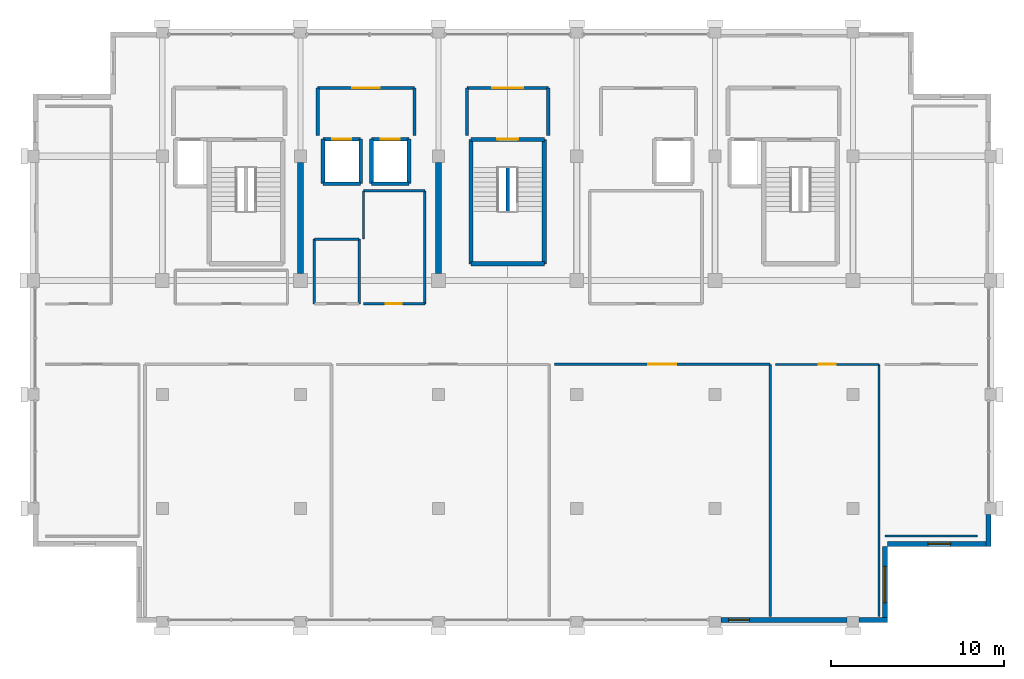
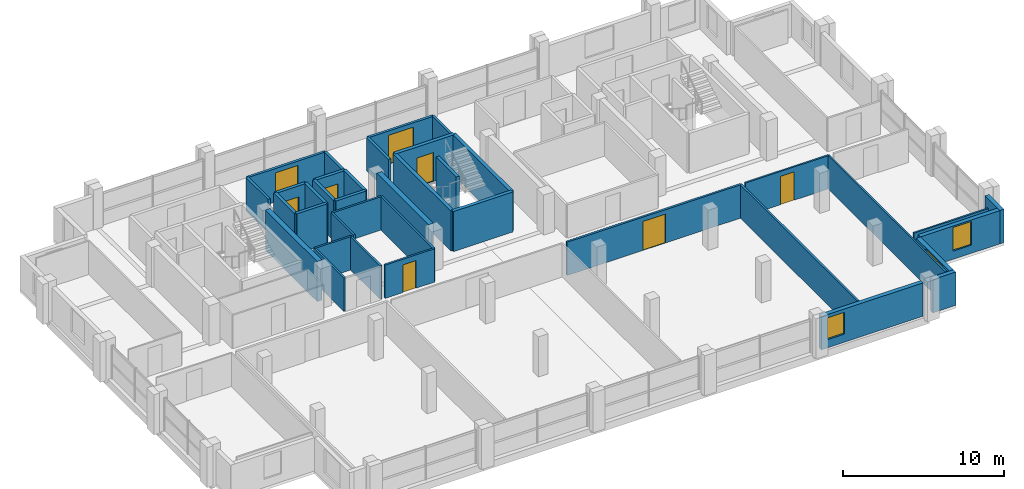
# One storey, part 21 of 24: 38 walls, 8 doors, 3 windows, 11 openings.
"""IFC4 building model written with IfcOpenShell, lengths in metres."""

from ifc_helpers import new_model, si_unit, direction, frame, frame_2d, origin, place, context, subcontext, project, spatial, rectangle, extrude, material, layer, layer_set, type_object, element, fill, save


model = new_model("IFC4")

# Units and contexts
model_context = context("Model", 3, precision=1e-05, world=origin(), true_north=direction((0.0, 1.0)))
body_context = subcontext(model_context, "Body", "Model", "MODEL_VIEW")
ifc_project = project(units=[si_unit("LENGTHUNIT", "METRE"), si_unit("AREAUNIT", "SQUARE_METRE"), si_unit("VOLUMEUNIT", "CUBIC_METRE"), si_unit("PLANEANGLEUNIT", "RADIAN"), si_unit("MASSUNIT", "GRAM", prefix="KILO")], contexts=[model_context])

# Site, building, storey
site_placement = place(None, origin())
site = spatial("IfcSite", under=ifc_project, at=site_placement, CompositionType="ELEMENT")
building_placement = place(site_placement, origin())
building = spatial("IfcBuilding", under=site, at=building_placement, Name="Akrevak Sports Hall", CompositionType="ELEMENT")
storey_placement = place(building_placement, frame((0.0, 0.0, 60.050048828125)))
storey = spatial("IfcBuildingStorey", under=building, at=storey_placement, Name="L15", CompositionType="ELEMENT", Elevation=60.050048828125)

# Wall, opening, window
ifc_material_1 = material(Name="Limestone Ashlar", Category="stone")
ifc_layer_1 = layer(ifc_material_1, 0.06005859375, Name="Limestone Ashlar")
ifc_material_2 = material(Name="Mineral Wool Thermal Insulation", Category="insulation")
ifc_layer_2 = layer(ifc_material_2, 0.090087890625, Name="Mineral Wool Thermal Insulation")
ifc_material_3 = material(Name="Concrete C40/50", Category="concrete")
ifc_layer_3 = layer(ifc_material_3, 0.14990234375, Name="Concrete C40/50")
ifc_layer_set_1 = layer_set([ifc_layer_1, ifc_layer_2, ifc_layer_3], Name="Limestone Ashlar / Mineral Wool Thermal Insulation / Concrete C40/50")
wall_type_1 = type_object("IfcWallType", Name="ARC-WL-EXT-300", PredefinedType="SOLIDWALL", material=ifc_layer_set_1)
wall_1_placement = place(storey_placement, frame((92.35009765625, 35.550048828125, 0.0), z_axis=(0.0, 0.0, 1.0), x_axis=(1.0, 0.0, 0.0)))
wall_1 = element("IfcWall", 1, at=wall_1_placement, inside=storey, type_object=wall_type_1, Name="Tower Stone Facade Wall L15-S06", PredefinedType="SOLIDWALL", context=body_context, shape_type="SweptSolid", body=[
    extrude(rectangle(XDim=7.2998046875, YDim=0.300048828125, at=frame_2d((3.64990234375, 0.0))), origin(), (0.0, 0.0, 1.0), 2.530029296875),
])
opening_1_placement = place(wall_1_placement, frame((0.449951171875, 0.0, 0.6201171875)))
opening_1 = element("IfcOpeningElement", 2, at=opening_1_placement, cuts=wall_1, Name="Opening WN-45", PredefinedType="OPENING", context=body_context, shape_type="SweptSolid", body=[
    extrude(rectangle(XDim=1.199951171875, YDim=1.64990234375, at=frame_2d((0.60009765625, 0.824951171875))), frame((0.0, 0.162109375, 0.0), z_axis=(0.0, -1.0, 0.0), x_axis=(1.0, 0.0, 0.0)), (0.0, 0.0, 1.0), 0.323974609375),
])
ifc_material_4 = material(Name="Thermally Broken Bronze Frame & Double Low-E Glass", Category="glass")
window_type_1 = type_object("IfcWindowType", Name="ARC-WIN-SZ-1200x1650", PartitioningType="SINGLE_PANEL", PredefinedType="WINDOW", material=ifc_material_4)
window_1_placement = place(opening_1_placement, origin())
window_1 = element("IfcWindow", 3, at=window_1_placement, inside=storey, type_object=window_type_1, Name="Tower Window L15-S06", OverallHeight=1.64990234375, OverallWidth=1.199951171875, PartitioningType="SINGLE_PANEL", PredefinedType="WINDOW", context=body_context, shape_type="SweptSolid", body=[
    extrude(rectangle(XDim=1.199951171875, YDim=1.64990234375, at=frame_2d((0.60009765625, 0.824951171875))), frame((0.0, 0.030029296875, 0.0), z_axis=(0.0, -1.0, 0.0), x_axis=(1.0, 0.0, 0.0)), (0.0, 0.0, 1.0), 0.06005859375),
])
fill(opening_1, window_1)

# Wall
wall_2_placement = place(storey_placement, frame((100.35009765625, 35.550048828125, 0.0), z_axis=(0.0, 0.0, 1.0), x_axis=(1.0, 0.0, 0.0)))
element("IfcWall", 4, at=wall_2_placement, inside=storey, type_object=wall_type_1, Name="Tower Stone Facade Wall L15-S07", PredefinedType="SOLIDWALL", context=body_context, shape_type="SweptSolid", body=[
    extrude(rectangle(XDim=1.64990234375, YDim=0.300048828125, at=frame_2d((0.824951171875, 0.0))), origin(), (0.0, 0.0, 1.0), 2.530029296875),
])

# Wall, opening, window
wall_3_placement = place(storey_placement, frame((101.85009765625, 35.39990234375, 0.0), z_axis=(0.0, 0.0, 1.0), x_axis=(0.0, 1.0, 0.0)))
wall_3 = element("IfcWall", 5, at=wall_3_placement, inside=storey, type_object=wall_type_1, Name="Tower Stone Facade Wall L15-E08", PredefinedType="SOLIDWALL", context=body_context, shape_type="SweptSolid", body=[
    extrude(rectangle(XDim=4.400146484375, YDim=0.300048828125, at=frame_2d((2.2001953125, 0.0))), origin(), (0.0, 0.0, 1.0), 2.530029296875),
])
opening_2_placement = place(wall_3_placement, frame((1.14990234375, 0.0, 0.6201171875)))
opening_2 = element("IfcOpeningElement", 6, at=opening_2_placement, cuts=wall_3, Name="Opening WN-55", PredefinedType="OPENING", context=body_context, shape_type="SweptSolid", body=[
    extrude(rectangle(XDim=2.10009765625, YDim=1.81005859375, at=frame_2d((1.050048828125, 0.905029296875))), frame((0.0, 0.162109375, 0.0), z_axis=(0.0, -1.0, 0.0), x_axis=(1.0, 0.0, 0.0)), (0.0, 0.0, 1.0), 0.323974609375),
])
window_type_2 = type_object("IfcWindowType", Name="ARC-WIN-SZ-2100x1810", PartitioningType="SINGLE_PANEL", PredefinedType="WINDOW", material=ifc_material_4)
window_2_placement = place(opening_2_placement, origin())
window_2 = element("IfcWindow", 7, at=window_2_placement, inside=storey, type_object=window_type_2, Name="Tower Window L15-E08", OverallHeight=1.81005859375, OverallWidth=2.10009765625, PartitioningType="SINGLE_PANEL", PredefinedType="WINDOW", context=body_context, shape_type="SweptSolid", body=[
    extrude(rectangle(XDim=2.10009765625, YDim=1.81005859375, at=frame_2d((1.050048828125, 0.905029296875))), frame((0.0, 0.030029296875, 0.0), z_axis=(0.0, -1.0, 0.0), x_axis=(1.0, 0.0, 0.0)), (0.0, 0.0, 1.0), 0.06005859375),
])
fill(opening_2, window_2)

wall_4_placement = place(storey_placement, frame((102.0, 39.949951171875, 0.0), z_axis=(0.0, 0.0, 1.0), x_axis=(1.0, 0.0, 0.0)))
wall_4 = element("IfcWall", 8, at=wall_4_placement, inside=storey, type_object=wall_type_1, Name="Tower Stone Facade Wall L15-S09", PredefinedType="SOLIDWALL", context=body_context, shape_type="SweptSolid", body=[
    extrude(rectangle(XDim=6.0, YDim=0.300048828125, at=frame_2d((3.0, 0.0))), origin(), (0.0, 0.0, 1.0), 2.530029296875),
])
opening_3_placement = place(wall_4_placement, frame((2.35009765625, 0.0, 0.6201171875)))
opening_3 = element("IfcOpeningElement", 9, at=opening_3_placement, cuts=wall_4, Name="Opening WN-12", PredefinedType="OPENING", context=body_context, shape_type="SweptSolid", body=[
    extrude(rectangle(XDim=1.300048828125, YDim=1.800048828125, at=frame_2d((0.64990234375, 0.89990234375))), frame((0.0, 0.162109375, 0.0), z_axis=(0.0, -1.0, 0.0), x_axis=(1.0, 0.0, 0.0)), (0.0, 0.0, 1.0), 0.323974609375),
])
window_type_3 = type_object("IfcWindowType", Name="ARC-WIN-TW-130x180", PartitioningType="SINGLE_PANEL", PredefinedType="WINDOW", material=ifc_material_4)
window_3_placement = place(opening_3_placement, origin())
window_3 = element("IfcWindow", 10, at=window_3_placement, inside=storey, type_object=window_type_3, Name="Tower Window L15-S09", OverallHeight=1.800048828125, OverallWidth=1.300048828125, PartitioningType="SINGLE_PANEL", PredefinedType="WINDOW", context=body_context, shape_type="SweptSolid", body=[
    extrude(rectangle(XDim=1.300048828125, YDim=1.800048828125, at=frame_2d((0.64990234375, 0.89990234375))), frame((0.0, 0.030029296875, 0.0), z_axis=(0.0, -1.0, 0.0), x_axis=(1.0, 0.0, 0.0)), (0.0, 0.0, 1.0), 0.06005859375),
])
fill(opening_3, window_3)

# Wall
wall_5_placement = place(storey_placement, frame((107.85009765625, 39.800048828125, 0.0), z_axis=(0.0, 0.0, 1.0), x_axis=(0.0, 1.0, 0.0)))
element("IfcWall", 11, at=wall_5_placement, inside=storey, type_object=wall_type_1, Name="Tower Stone Facade Wall L15-E10", PredefinedType="SOLIDWALL", context=body_context, shape_type="SweptSolid", body=[
    extrude(rectangle(XDim=1.849853515625, YDim=0.300048828125, at=frame_2d((0.9248046875, 0.0))), origin(), (0.0, 0.0, 1.0), 2.530029296875),
])

# Wall, opening, door
ifc_material_5 = material(Name="Standard Metal Stud Partition", Category="gypsum")
ifc_layer_4 = layer(ifc_material_5, 0.1201171875, Name="Standard Metal Stud Partition")
ifc_layer_set_2 = layer_set([ifc_layer_4], Name="Standard Metal Stud Partition")
wall_type_2 = type_object("IfcWallType", Name="ARC-WL-PRT-120", PredefinedType="PARTITIONING", material=ifc_layer_set_2)
wall_6_placement = place(storey_placement, frame((95.5, 50.35009765625, 0.0), z_axis=(0.0, 0.0, 1.0), x_axis=(1.0, 0.0, 0.0)))
wall_6 = element("IfcWall", 12, at=wall_6_placement, inside=storey, type_object=wall_type_2, Name="Interior Partition International Relations Secretariat (L15) (N)", PredefinedType="PARTITIONING", context=body_context, shape_type="SweptSolid", body=[
    extrude(rectangle(XDim=6.0, YDim=0.1201171875, at=frame_2d((3.0, 0.0))), origin(), (0.0, 0.0, 1.0), 2.530029296875),
])
opening_4_placement = place(wall_6_placement, frame((2.5, 0.0, 0.0)))
opening_4 = element("IfcOpeningElement", 13, at=opening_4_placement, cuts=wall_6, Name="Opening ID-06", PredefinedType="OPENING", context=body_context, shape_type="SweptSolid", body=[
    extrude(rectangle(XDim=1.0, YDim=2.14990234375, at=frame_2d((0.5, 1.074951171875))), frame((0.0, 0.072021484375, 0.0), z_axis=(0.0, -1.0, 0.0), x_axis=(1.0, 0.0, 0.0)), (0.0, 0.0, 1.0), 0.14404296875),
])
ifc_material_6 = material(Name="Hardwood Oak Acoustic Leaf", Category="wood")
door_type_1 = type_object("IfcDoorType", Name="ARC-DR-OFF-100x215", OperationType="NOTDEFINED", PredefinedType="DOOR", material=ifc_material_6)
door_1_placement = place(opening_4_placement, origin())
door_1 = element("IfcDoor", 14, at=door_1_placement, inside=storey, type_object=door_type_1, Name="Door to International Relations Secretariat (L15)", OperationType="SINGLE_SWING_LEFT", OverallHeight=2.14990234375, OverallWidth=1.0, PredefinedType="DOOR", context=body_context, shape_type="SweptSolid", body=[
    extrude(rectangle(XDim=1.0, YDim=2.14990234375, at=frame_2d((0.5, 1.074951171875))), frame((0.0, 0.02490234375, 0.0), z_axis=(0.0, -1.0, 0.0), x_axis=(1.0, 0.0, 0.0)), (0.0, 0.0, 1.0), 0.050048828125),
])
fill(opening_4, door_1)

# Walls
wall_7_placement = place(storey_placement, frame((101.5, 35.75, 0.0), z_axis=(0.0, 0.0, 1.0), x_axis=(0.0, 1.0, 0.0)))
element("IfcWall", 15, at=wall_7_placement, inside=storey, type_object=wall_type_2, Name="Interior Partition International Relations Secretariat (L15) (E)", PredefinedType="PARTITIONING", context=body_context, shape_type="SweptSolid", body=[
    extrude(rectangle(XDim=14.60009765625, YDim=0.1201171875, at=frame_2d((7.300048828125, 0.0))), origin(), (0.0, 0.0, 1.0), 2.530029296875),
])
wall_8_placement = place(storey_placement, frame((101.85009765625, 40.39990234375, 0.0), z_axis=(0.0, 0.0, 1.0), x_axis=(1.0, 0.0, 0.0)))
element("IfcWall", 16, at=wall_8_placement, inside=storey, type_object=wall_type_2, Name="Interior Partition International Federation Office East (L15) (S)", PredefinedType="PARTITIONING", context=body_context, shape_type="SweptSolid", body=[
    extrude(rectangle(XDim=5.349853515625, YDim=0.1201171875, at=frame_2d((2.6748046875, 0.0))), origin(), (0.0, 0.0, 1.0), 2.530029296875),
])
ifc_material_7 = material(Name="Moisture-Resistant Wet-Area Partition", Category="gypsum")
ifc_layer_5 = layer(ifc_material_7, 0.139892578125, Name="Moisture-Resistant Wet-Area Partition")
ifc_layer_set_3 = layer_set([ifc_layer_5], Name="Moisture-Resistant Wet-Area Partition")
wall_type_3 = type_object("IfcWallType", Name="ARC-WL-PRT-140", PredefinedType="PARTITIONING", material=ifc_layer_set_3)
wall_9_placement = place(storey_placement, frame((68.800048828125, 57.60009765625, 0.0), z_axis=(0.0, 0.0, 1.0), x_axis=(1.0, 0.0, 0.0)))
element("IfcWall", 17, at=wall_9_placement, inside=storey, type_object=wall_type_3, Name="Interior Partition Accessible WC L15 (N)", PredefinedType="PARTITIONING", context=body_context, shape_type="SweptSolid", body=[
    extrude(rectangle(XDim=2.599853515625, YDim=0.139892578125, at=frame_2d((1.2998046875, 0.0))), origin(), (0.0, 0.0, 1.0), 2.530029296875),
])
for number, where, z_axis, x_axis, name in (
    (18, (68.800048828125, 53.85009765625, 0.0), (0.0, 0.0, 1.0), (0.0, 1.0, 0.0), "Interior Partition Accessible WC L15 (W)"),
    (19, (71.39990234375, 53.85009765625, 0.0), (0.0, 0.0, 1.0), (0.0, 1.0, 0.0), "Interior Partition Accessible WC L15 (E)"),
):
    element("IfcWall", number, at=place(storey_placement, frame(where, z_axis=z_axis, x_axis=x_axis)), inside=storey, type_object=wall_type_3, Name=name, PredefinedType="PARTITIONING", context=body_context, shape_type="SweptSolid", body=[
        extrude(rectangle(XDim=3.75, YDim=0.139892578125, at=frame_2d((1.875, 0.0))), origin(), (0.0, 0.0, 1.0), 2.530029296875),
    ])

# Wall, opening, door
wall_10_placement = place(storey_placement, frame((71.64990234375, 53.85009765625, 0.0), z_axis=(0.0, 0.0, 1.0), x_axis=(1.0, 0.0, 0.0)))
wall_10 = element("IfcWall", 20, at=wall_10_placement, inside=storey, type_object=wall_type_3, Name="Interior Partition Athletic Recovery Shower & WC L15 (S)", PredefinedType="PARTITIONING", context=body_context, shape_type="SweptSolid", body=[
    extrude(rectangle(XDim=3.550048828125, YDim=0.139892578125, at=frame_2d((1.77490234375, 0.0))), origin(), (0.0, 0.0, 1.0), 2.530029296875),
])
opening_5_placement = place(wall_10_placement, frame((1.27490234375, 0.0, 0.0)))
opening_5 = element("IfcOpeningElement", 21, at=opening_5_placement, cuts=wall_10, Name="Opening ID-08", PredefinedType="OPENING", context=body_context, shape_type="SweptSolid", body=[
    extrude(rectangle(XDim=0.949951171875, YDim=2.10009765625, at=frame_2d((0.47509765625, 1.050048828125))), frame((0.0, 0.08203125, 0.0), z_axis=(0.0, -1.0, 0.0), x_axis=(1.0, 0.0, 0.0)), (0.0, 0.0, 1.0), 0.163818359375),
])
ifc_material_8 = material(Name="High-Pressure Laminate & Aluminium", Category="aluminium")
door_type_2 = type_object("IfcDoorType", Name="ARC-DR-WC-095x210", OperationType="NOTDEFINED", PredefinedType="DOOR", material=ifc_material_8)
door_2_placement = place(opening_5_placement, origin())
door_2 = element("IfcDoor", 22, at=door_2_placement, inside=storey, type_object=door_type_2, Name="Door to Athletic Recovery Shower & WC L15", OperationType="SINGLE_SWING_LEFT", OverallHeight=2.10009765625, OverallWidth=0.949951171875, PredefinedType="DOOR", context=body_context, shape_type="SweptSolid", body=[
    extrude(rectangle(XDim=0.949951171875, YDim=2.10009765625, at=frame_2d((0.47509765625, 1.050048828125))), frame((0.0, 0.02490234375, 0.0), z_axis=(0.0, -1.0, 0.0), x_axis=(1.0, 0.0, 0.0)), (0.0, 0.0, 1.0), 0.050048828125),
])
fill(opening_5, door_2)

# Walls
wall_11_placement = place(storey_placement, frame((71.64990234375, 60.39990234375, 0.0), z_axis=(0.0, 0.0, 1.0), x_axis=(1.0, 0.0, 0.0)))
element("IfcWall", 23, at=wall_11_placement, inside=storey, type_object=wall_type_3, Name="Interior Partition Athletic Recovery Shower & WC L15 (N)", PredefinedType="PARTITIONING", context=body_context, shape_type="SweptSolid", body=[
    extrude(rectangle(XDim=3.550048828125, YDim=0.139892578125, at=frame_2d((1.77490234375, 0.0))), origin(), (0.0, 0.0, 1.0), 2.530029296875),
])
wall_12_placement = place(storey_placement, frame((71.64990234375, 57.60009765625, 0.0), z_axis=(0.0, 0.0, 1.0), x_axis=(0.0, 1.0, 0.0)))
element("IfcWall", 24, at=wall_12_placement, inside=storey, type_object=wall_type_3, Name="Interior Partition Athletic Recovery Shower & WC L15 (W)", PredefinedType="PARTITIONING", context=body_context, shape_type="SweptSolid", body=[
    extrude(rectangle(XDim=2.7998046875, YDim=0.139892578125, at=frame_2d((1.39990234375, 0.0))), origin(), (0.0, 0.0, 1.0), 2.530029296875),
])
wall_13_placement = place(storey_placement, frame((75.199951171875, 53.85009765625, 0.0), z_axis=(0.0, 0.0, 1.0), x_axis=(0.0, 1.0, 0.0)))
element("IfcWall", 25, at=wall_13_placement, inside=storey, type_object=wall_type_3, Name="Interior Partition Athletic Recovery Shower & WC L15 (E)", PredefinedType="PARTITIONING", context=body_context, shape_type="SweptSolid", body=[
    extrude(rectangle(XDim=6.5498046875, YDim=0.139892578125, at=frame_2d((3.27490234375, 0.0))), origin(), (0.0, 0.0, 1.0), 2.530029296875),
])

# Wall, opening, door
ifc_material_9 = material(Name="Double Stud Acoustic Gypsum Partition", Category="gypsum")
ifc_layer_6 = layer(ifc_material_9, 0.14990234375, Name="Double Stud Acoustic Gypsum Partition")
ifc_layer_set_4 = layer_set([ifc_layer_6], Name="Double Stud Acoustic Gypsum Partition")
wall_type_4 = type_object("IfcWallType", Name="ARC-WL-PRT-150", PredefinedType="PARTITIONING", material=ifc_layer_set_4)
wall_14_placement = place(storey_placement, frame((82.699951171875, 50.35009765625, 0.0), z_axis=(0.0, 0.0, 1.0), x_axis=(1.0, 0.0, 0.0)))
wall_14 = element("IfcWall", 26, at=wall_14_placement, inside=storey, type_object=wall_type_4, Name="Interior Partition Presidential Reception Salon (L15) (N)", PredefinedType="PARTITIONING", context=body_context, shape_type="SweptSolid", body=[
    extrude(rectangle(XDim=12.5, YDim=0.14990234375, at=frame_2d((6.25, 0.0))), origin(), (0.0, 0.0, 1.0), 2.530029296875),
])
opening_6_placement = place(wall_14_placement, frame((5.449951171875, 0.0, 0.0)))
opening_6 = element("IfcOpeningElement", 27, at=opening_6_placement, cuts=wall_14, Name="Opening ID-03", PredefinedType="OPENING", context=body_context, shape_type="SweptSolid", body=[
    extrude(rectangle(XDim=1.60009765625, YDim=2.199951171875, at=frame_2d((0.800048828125, 1.10009765625))), frame((0.0, 0.0869140625, 0.0), z_axis=(0.0, -1.0, 0.0), x_axis=(1.0, 0.0, 0.0)), (0.0, 0.0, 1.0), 0.173828125),
])
ifc_material_10 = material(Name="Hardwood Oak & Safety Glass", Category="wood")
door_type_3 = type_object("IfcDoorType", Name="ARC-DR-HALL-160x220", OperationType="DOUBLE_DOOR_SINGLE_SWING", PredefinedType="DOOR", material=ifc_material_10)
door_3_placement = place(opening_6_placement, origin())
door_3 = element("IfcDoor", 28, at=door_3_placement, inside=storey, type_object=door_type_3, Name="Door to Presidential Reception Salon (L15)", OperationType="DOUBLE_DOOR_SINGLE_SWING", OverallHeight=2.199951171875, OverallWidth=1.60009765625, PredefinedType="DOOR", context=body_context, shape_type="SweptSolid", body=[
    extrude(rectangle(XDim=1.60009765625, YDim=2.199951171875, at=frame_2d((0.800048828125, 1.10009765625))), frame((0.0, 0.02490234375, 0.0), z_axis=(0.0, -1.0, 0.0), x_axis=(1.0, 0.0, 0.0)), (0.0, 0.0, 1.0), 0.050048828125),
])
fill(opening_6, door_3)

# Wall
wall_15_placement = place(storey_placement, frame((95.199951171875, 35.75, 0.0), z_axis=(0.0, 0.0, 1.0), x_axis=(0.0, 1.0, 0.0)))
element("IfcWall", 29, at=wall_15_placement, inside=storey, type_object=wall_type_4, Name="Interior Partition Presidential Reception Salon (L15) (E)", PredefinedType="PARTITIONING", context=body_context, shape_type="SweptSolid", body=[
    extrude(rectangle(XDim=14.60009765625, YDim=0.14990234375, at=frame_2d((7.300048828125, 0.0))), origin(), (0.0, 0.0, 1.0), 2.530029296875),
])

# Wall, opening, door
ifc_material_11 = material(Name="Autoclaved Aerated Masonry Block", Category="masonry")
ifc_layer_7 = layer(ifc_material_11, 0.179931640625, Name="Autoclaved Aerated Masonry Block")
ifc_layer_set_5 = layer_set([ifc_layer_7], Name="Autoclaved Aerated Masonry Block")
wall_type_5 = type_object("IfcWallType", Name="ARC-WL-PRT-180", PredefinedType="PARTITIONING", material=ifc_layer_set_5)
wall_16_placement = place(storey_placement, frame((69.0, 66.35009765625, 0.0), z_axis=(0.0, 0.0, 1.0), x_axis=(1.0, 0.0, 0.0)))
wall_16 = element("IfcWall", 30, at=wall_16_placement, inside=storey, type_object=wall_type_5, Name="Interior Partition West Passenger Lift Lobby L15 (N)", PredefinedType="PARTITIONING", context=body_context, shape_type="SweptSolid", body=[
    extrude(rectangle(XDim=5.60009765625, YDim=0.179931640625, at=frame_2d((2.800048828125, 0.0))), origin(), (0.0, 0.0, 1.0), 2.530029296875),
])
opening_7_placement = place(wall_16_placement, frame((2.0, 0.0, 0.0)))
opening_7 = element("IfcOpeningElement", 31, at=opening_7_placement, cuts=wall_16, Name="Opening ID-03", PredefinedType="OPENING", context=body_context, shape_type="SweptSolid", body=[
    extrude(rectangle(XDim=1.60009765625, YDim=2.199951171875, at=frame_2d((0.800048828125, 1.10009765625))), frame((0.0, 0.10205078125, 0.0), z_axis=(0.0, -1.0, 0.0), x_axis=(1.0, 0.0, 0.0)), (0.0, 0.0, 1.0), 0.203857421875),
])
door_4_placement = place(opening_7_placement, origin())
door_4 = element("IfcDoor", 32, at=door_4_placement, inside=storey, type_object=door_type_3, Name="Door to West Passenger Lift Lobby L15", OperationType="DOUBLE_DOOR_SINGLE_SWING", OverallHeight=2.199951171875, OverallWidth=1.60009765625, PredefinedType="DOOR", context=body_context, shape_type="SweptSolid", body=[
    extrude(rectangle(XDim=1.60009765625, YDim=2.199951171875, at=frame_2d((0.800048828125, 1.10009765625))), frame((0.0, 0.02490234375, 0.0), z_axis=(0.0, -1.0, 0.0), x_axis=(1.0, 0.0, 0.0)), (0.0, 0.0, 1.0), 0.050048828125),
])
fill(opening_7, door_4)

# Walls
for number, where, z_axis, x_axis, name in (
    (33, (69.0, 63.60009765625, 0.0), (0.0, 0.0, 1.0), (0.0, 1.0, 0.0), "Interior Partition West Passenger Lift Lobby L15 (W)"),
    (34, (74.60009765625, 63.60009765625, 0.0), (0.0, 0.0, 1.0), (0.0, 1.0, 0.0), "Interior Partition West Passenger Lift Lobby L15 (E)"),
):
    element("IfcWall", number, at=place(storey_placement, frame(where, z_axis=z_axis, x_axis=x_axis)), inside=storey, type_object=wall_type_5, Name=name, PredefinedType="PARTITIONING", context=body_context, shape_type="SweptSolid", body=[
        extrude(rectangle(XDim=2.75, YDim=0.179931640625, at=frame_2d((1.375, 0.0))), origin(), (0.0, 0.0, 1.0), 2.530029296875),
    ])

# Wall, opening, door
wall_17_placement = place(storey_placement, frame((77.64990234375, 66.35009765625, 0.0), z_axis=(0.0, 0.0, 1.0), x_axis=(1.0, 0.0, 0.0)))
wall_17 = element("IfcWall", 35, at=wall_17_placement, inside=storey, type_object=wall_type_5, Name="Interior Partition Central Stair ST3 Vestibule L15 (N)", PredefinedType="PARTITIONING", context=body_context, shape_type="SweptSolid", body=[
    extrude(rectangle(XDim=4.7001953125, YDim=0.179931640625, at=frame_2d((2.35009765625, 0.0))), origin(), (0.0, 0.0, 1.0), 2.530029296875),
])
opening_8_placement = place(wall_17_placement, frame((1.449951171875, 0.0, 0.0)))
opening_8 = element("IfcOpeningElement", 36, at=opening_8_placement, cuts=wall_17, Name="Opening FD-02", PredefinedType="OPENING", context=body_context, shape_type="SweptSolid", body=[
    extrude(rectangle(XDim=1.800048828125, YDim=2.199951171875, at=frame_2d((0.89990234375, 1.10009765625))), frame((0.0, 0.10205078125, 0.0), z_axis=(0.0, -1.0, 0.0), x_axis=(1.0, 0.0, 0.0)), (0.0, 0.0, 1.0), 0.203857421875),
])
ifc_material_12 = material(Name="Fire-Rated Galvanized Door Steel", Category="steel")
door_type_4 = type_object("IfcDoorType", Name="ARC-DR-FIRE-180x220", OperationType="DOUBLE_DOOR_SINGLE_SWING", PredefinedType="DOOR", material=ifc_material_12)
door_5_placement = place(opening_8_placement, frame((1.800048828125, 0.0, 0.0), z_axis=(0.0, 0.0, 1.0), x_axis=(-1.0, 0.0, 0.0)))
door_5 = element("IfcDoor", 37, at=door_5_placement, inside=storey, type_object=door_type_4, Name="Door to Central Stair ST3 Vestibule L15", OperationType="DOUBLE_DOOR_SINGLE_SWING", OverallHeight=2.199951171875, OverallWidth=1.800048828125, PredefinedType="DOOR", context=body_context, shape_type="SweptSolid", body=[
    extrude(rectangle(XDim=1.800048828125, YDim=2.199951171875, at=frame_2d((0.89990234375, 1.10009765625))), frame((0.0, 0.02490234375, 0.0), z_axis=(0.0, -1.0, 0.0), x_axis=(1.0, 0.0, 0.0)), (0.0, 0.0, 1.0), 0.050048828125),
])
fill(opening_8, door_5)

# Walls
for number, where, z_axis, x_axis, name in (
    (38, (77.64990234375, 63.60009765625, 0.0), (0.0, 0.0, 1.0), (0.0, 1.0, 0.0), "Interior Partition Central Stair ST3 Vestibule L15 (W)"),
    (39, (82.35009765625, 63.60009765625, 0.0), (0.0, 0.0, 1.0), (0.0, 1.0, 0.0), "Interior Partition Central Stair ST3 Vestibule L15 (E)"),
):
    element("IfcWall", number, at=place(storey_placement, frame(where, z_axis=z_axis, x_axis=x_axis)), inside=storey, type_object=wall_type_5, Name=name, PredefinedType="PARTITIONING", context=body_context, shape_type="SweptSolid", body=[
        extrude(rectangle(XDim=2.75, YDim=0.179931640625, at=frame_2d((1.375, 0.0))), origin(), (0.0, 0.0, 1.0), 2.530029296875),
    ])
ifc_layer_8 = layer(ifc_material_3, 0.219970703125, Name="Concrete C40/50")
ifc_layer_set_6 = layer_set([ifc_layer_8], Name="Concrete C40/50")
wall_type_6 = type_object("IfcWallType", Name="ARC-WL-PRT-220", PredefinedType="PARTITIONING", material=ifc_layer_set_6)
wall_18_placement = place(storey_placement, frame((80.0, 59.215087890625, 0.0), z_axis=(0.0, 0.0, 1.0), x_axis=(0.0, 1.0, 0.0)))
element("IfcWall", 40, at=wall_18_placement, inside=storey, type_object=wall_type_6, Name="Stair ST3 Central Spine Wall (L15)", PredefinedType="PARTITIONING", context=body_context, shape_type="SweptSolid", body=[
    extrude(rectangle(XDim=2.52001953125, YDim=0.219970703125, at=frame_2d((1.260009765625, 0.0))), origin(), (0.0, 0.0, 1.0), 3.0400390625),
])
ifc_material_13 = material(Name="Concrete C50/60", Category="concrete")
ifc_layer_9 = layer(ifc_material_13, 0.219970703125, Name="Concrete C50/60")
ifc_layer_set_7 = layer_set([ifc_layer_9], Name="Concrete C50/60")
wall_type_7 = type_object("IfcWallType", Name="ARC-WL-SHAFT-220", PredefinedType="SHEAR", material=ifc_layer_set_7)
wall_19_placement = place(storey_placement, frame((69.31005859375, 60.81005859375, 0.0), z_axis=(0.0, 0.0, 1.0), x_axis=(1.0, 0.0, 0.0)))
element("IfcWall", 41, at=wall_19_placement, inside=storey, type_object=wall_type_7, Name="Lift Shaft LF-P1 Wall S (L15)", PredefinedType="SHEAR", context=body_context, shape_type="SweptSolid", body=[
    extrude(rectangle(XDim=2.179931640625, YDim=0.219970703125, at=frame_2d((1.08984375, 0.0))), origin(), (0.0, 0.0, 1.0), 3.0400390625),
])

# Wall, opening, door
wall_20_placement = place(storey_placement, frame((71.489990234375, 63.389892578125, 0.0), z_axis=(0.0, 0.0, 1.0), x_axis=(-1.0, 0.0, 0.0)))
wall_20 = element("IfcWall", 42, at=wall_20_placement, inside=storey, type_object=wall_type_7, Name="Lift Shaft LF-P1 Wall N (L15)", PredefinedType="SHEAR", context=body_context, shape_type="SweptSolid", body=[
    extrude(rectangle(XDim=2.179931640625, YDim=0.219970703125, at=frame_2d((1.08984375, 0.0))), origin(), (0.0, 0.0, 1.0), 3.0400390625),
])
opening_9_placement = place(wall_20_placement, frame((0.5400390625, 0.0, 0.0)))
opening_9 = element("IfcOpeningElement", 43, at=opening_9_placement, cuts=wall_20, Name="Opening LD-01", PredefinedType="OPENING", context=body_context, shape_type="SweptSolid", body=[
    extrude(rectangle(XDim=1.10009765625, YDim=2.199951171875, at=frame_2d((0.550048828125, 1.10009765625))), frame((0.0, 0.1220703125, 0.0), z_axis=(0.0, -1.0, 0.0), x_axis=(1.0, 0.0, 0.0)), (0.0, 0.0, 1.0), 0.243896484375),
])
ifc_material_14 = material(Name="Brushed Stainless Steel 304", Category="steel")
door_type_5 = type_object("IfcDoorType", Name="ARC-DR-LD-110x220", OperationType="SLIDING_TO_LEFT", PredefinedType="DOOR", material=ifc_material_14)
door_6_placement = place(opening_9_placement, origin())
door_6 = element("IfcDoor", 44, at=door_6_placement, inside=storey, type_object=door_type_5, Name="Lift LF-P1 Sliding Landing Door (L15)", OperationType="SLIDING_TO_RIGHT", OverallHeight=2.199951171875, OverallWidth=1.10009765625, PredefinedType="DOOR", context=body_context, shape_type="SweptSolid", body=[
    extrude(rectangle(XDim=1.10009765625, YDim=2.199951171875, at=frame_2d((0.550048828125, 1.10009765625))), frame((0.0, 0.02490234375, 0.0), z_axis=(0.0, -1.0, 0.0), x_axis=(1.0, 0.0, 0.0)), (0.0, 0.0, 1.0), 0.050048828125),
])
fill(opening_9, door_6)

# Walls
for number, where, z_axis, x_axis, name in (
    (45, (69.31005859375, 63.389892578125, 0.0), (0.0, 0.0, 1.0), (0.0, -1.0, 0.0), "Lift Shaft LF-P1 Wall W (L15)"),
    (46, (71.489990234375, 60.81005859375, 0.0), (0.0, 0.0, 1.0), (0.0, 1.0, 0.0), "Lift Shaft LF-P1 Wall E (L15)"),
):
    element("IfcWall", number, at=place(storey_placement, frame(where, z_axis=z_axis, x_axis=x_axis)), inside=storey, type_object=wall_type_7, Name=name, PredefinedType="SHEAR", context=body_context, shape_type="SweptSolid", body=[
        extrude(rectangle(XDim=2.579833984375, YDim=0.219970703125, at=frame_2d((1.2900390625, 0.0))), origin(), (0.0, 0.0, 1.0), 3.0400390625),
    ])
wall_21_placement = place(storey_placement, frame((72.110107421875, 60.81005859375, 0.0), z_axis=(0.0, 0.0, 1.0), x_axis=(1.0, 0.0, 0.0)))
element("IfcWall", 47, at=wall_21_placement, inside=storey, type_object=wall_type_7, Name="Lift Shaft LF-P2 Wall S (L15)", PredefinedType="SHEAR", context=body_context, shape_type="SweptSolid", body=[
    extrude(rectangle(XDim=2.179931640625, YDim=0.219970703125, at=frame_2d((1.08984375, 0.0))), origin(), (0.0, 0.0, 1.0), 3.0400390625),
])

# Wall, opening, door
wall_22_placement = place(storey_placement, frame((74.2900390625, 63.389892578125, 0.0), z_axis=(0.0, 0.0, 1.0), x_axis=(-1.0, 0.0, 0.0)))
wall_22 = element("IfcWall", 48, at=wall_22_placement, inside=storey, type_object=wall_type_7, Name="Lift Shaft LF-P2 Wall N (L15)", PredefinedType="SHEAR", context=body_context, shape_type="SweptSolid", body=[
    extrude(rectangle(XDim=2.179931640625, YDim=0.219970703125, at=frame_2d((1.08984375, 0.0))), origin(), (0.0, 0.0, 1.0), 3.0400390625),
])
opening_10_placement = place(wall_22_placement, frame((0.5400390625, 0.0, 0.0)))
opening_10 = element("IfcOpeningElement", 49, at=opening_10_placement, cuts=wall_22, Name="Opening LD-01", PredefinedType="OPENING", context=body_context, shape_type="SweptSolid", body=[
    extrude(rectangle(XDim=1.10009765625, YDim=2.199951171875, at=frame_2d((0.550048828125, 1.10009765625))), frame((0.0, 0.1220703125, 0.0), z_axis=(0.0, -1.0, 0.0), x_axis=(1.0, 0.0, 0.0)), (0.0, 0.0, 1.0), 0.243896484375),
])
door_7_placement = place(opening_10_placement, origin())
door_7 = element("IfcDoor", 50, at=door_7_placement, inside=storey, type_object=door_type_5, Name="Lift LF-P2 Sliding Landing Door (L15)", OperationType="SLIDING_TO_RIGHT", OverallHeight=2.199951171875, OverallWidth=1.10009765625, PredefinedType="DOOR", context=body_context, shape_type="SweptSolid", body=[
    extrude(rectangle(XDim=1.10009765625, YDim=2.199951171875, at=frame_2d((0.550048828125, 1.10009765625))), frame((0.0, 0.02490234375, 0.0), z_axis=(0.0, -1.0, 0.0), x_axis=(1.0, 0.0, 0.0)), (0.0, 0.0, 1.0), 0.050048828125),
])
fill(opening_10, door_7)

# Walls
for number, where, z_axis, x_axis, name in (
    (51, (72.110107421875, 63.389892578125, 0.0), (0.0, 0.0, 1.0), (0.0, -1.0, 0.0), "Lift Shaft LF-P2 Wall W (L15)"),
    (52, (74.2900390625, 60.81005859375, 0.0), (0.0, 0.0, 1.0), (0.0, 1.0, 0.0), "Lift Shaft LF-P2 Wall E (L15)"),
):
    element("IfcWall", number, at=place(storey_placement, frame(where, z_axis=z_axis, x_axis=x_axis)), inside=storey, type_object=wall_type_7, Name=name, PredefinedType="SHEAR", context=body_context, shape_type="SweptSolid", body=[
        extrude(rectangle(XDim=2.579833984375, YDim=0.219970703125, at=frame_2d((1.2900390625, 0.0))), origin(), (0.0, 0.0, 1.0), 3.0400390625),
    ])
ifc_layer_10 = layer(ifc_material_13, 0.35009765625, Name="Concrete C50/60")
ifc_layer_set_8 = layer_set([ifc_layer_10], Name="Concrete C50/60")
wall_type_8 = type_object("IfcWallType", Name="STR-WL-CORE-350", PredefinedType="SHEAR", material=ifc_layer_set_8)
for number, where, z_axis, x_axis, name in (
    (53, (68.0, 55.60009765625, 0.0), (0.0, 0.0, 1.0), (0.0, 1.0, 0.0), "Reinforced Concrete Shear Wall SW-C1 (L15)"),
    (54, (76.0, 55.60009765625, 0.0), (0.0, 0.0, 1.0), (0.0, 1.0, 0.0), "Reinforced Concrete Shear Wall SW-W1 (L15)"),
):
    element("IfcWall", number, at=place(storey_placement, frame(where, z_axis=z_axis, x_axis=x_axis)), inside=storey, type_object=wall_type_8, Name=name, PredefinedType="SHEAR", context=body_context, shape_type="SweptSolid", body=[
        extrude(rectangle(XDim=6.449951171875, YDim=0.35009765625, at=frame_2d((3.22509765625, 0.0))), origin(), (0.0, 0.0, 1.0), 3.0400390625),
    ])
ifc_layer_11 = layer(ifc_material_13, 0.25, Name="Concrete C50/60")
ifc_layer_set_9 = layer_set([ifc_layer_11], Name="Concrete C50/60")
wall_type_9 = type_object("IfcWallType", Name="STR-WL-STAIR-250", PredefinedType="SHEAR", material=ifc_layer_set_9)
wall_23_placement = place(storey_placement, frame((77.875, 56.175048828125, 0.0), z_axis=(0.0, 0.0, 1.0), x_axis=(1.0, 0.0, 0.0)))
element("IfcWall", 55, at=wall_23_placement, inside=storey, type_object=wall_type_9, Name="Stair Core ST3 Shear Wall S (L15)", PredefinedType="SHEAR", context=body_context, shape_type="SweptSolid", body=[
    extrude(rectangle(XDim=4.25, YDim=0.25, at=frame_2d((2.125, 0.0))), origin(), (0.0, 0.0, 1.0), 3.0400390625),
])

# Wall, opening, door
wall_24_placement = place(storey_placement, frame((82.125, 63.375, 0.0), z_axis=(0.0, 0.0, 1.0), x_axis=(-1.0, 0.0, 0.0)))
wall_24 = element("IfcWall", 56, at=wall_24_placement, inside=storey, type_object=wall_type_9, Name="Stair Core ST3 Shear Wall N (L15)", PredefinedType="SHEAR", context=body_context, shape_type="SweptSolid", body=[
    extrude(rectangle(XDim=4.25, YDim=0.25, at=frame_2d((2.125, 0.0))), origin(), (0.0, 0.0, 1.0), 3.0400390625),
])
opening_11_placement = place(wall_24_placement, frame((1.52490234375, 0.0, 0.0)))
opening_11 = element("IfcOpeningElement", 57, at=opening_11_placement, cuts=wall_24, Name="Opening SD-02", PredefinedType="OPENING", context=body_context, shape_type="SweptSolid", body=[
    extrude(rectangle(XDim=1.199951171875, YDim=2.199951171875, at=frame_2d((0.60009765625, 1.10009765625))), frame((0.0, 0.136962890625, 0.0), z_axis=(0.0, -1.0, 0.0), x_axis=(1.0, 0.0, 0.0)), (0.0, 0.0, 1.0), 0.27392578125),
])
door_type_6 = type_object("IfcDoorType", Name="ARC-DR-STAIR-120x220", OperationType="NOTDEFINED", PredefinedType="DOOR", material=ifc_material_12)
door_8_placement = place(opening_11_placement, origin())
door_8 = element("IfcDoor", 58, at=door_8_placement, inside=storey, type_object=door_type_6, Name="Exit Stair ST3 Door (L15)", OperationType="SINGLE_SWING_LEFT", OverallHeight=2.199951171875, OverallWidth=1.199951171875, PredefinedType="DOOR", context=body_context, shape_type="SweptSolid", body=[
    extrude(rectangle(XDim=1.199951171875, YDim=2.199951171875, at=frame_2d((0.60009765625, 1.10009765625))), frame((0.0, 0.02490234375, 0.0), z_axis=(0.0, -1.0, 0.0), x_axis=(1.0, 0.0, 0.0)), (0.0, 0.0, 1.0), 0.050048828125),
])
fill(opening_11, door_8)

# Walls
for number, where, z_axis, x_axis, name in (
    (59, (77.875, 63.375, 0.0), (0.0, 0.0, 1.0), (0.0, -1.0, 0.0), "Stair Core ST3 Shear Wall W (L15)"),
    (60, (82.125, 56.175048828125, 0.0), (0.0, 0.0, 1.0), (0.0, 1.0, 0.0), "Stair Core ST3 Shear Wall E (L15)"),
):
    element("IfcWall", number, at=place(storey_placement, frame(where, z_axis=z_axis, x_axis=x_axis)), inside=storey, type_object=wall_type_9, Name=name, PredefinedType="SHEAR", context=body_context, shape_type="SweptSolid", body=[
        extrude(rectangle(XDim=7.199951171875, YDim=0.25, at=frame_2d((3.60009765625, 0.0))), origin(), (0.0, 0.0, 1.0), 3.0400390625),
    ])

save(model, "model.ifc")
